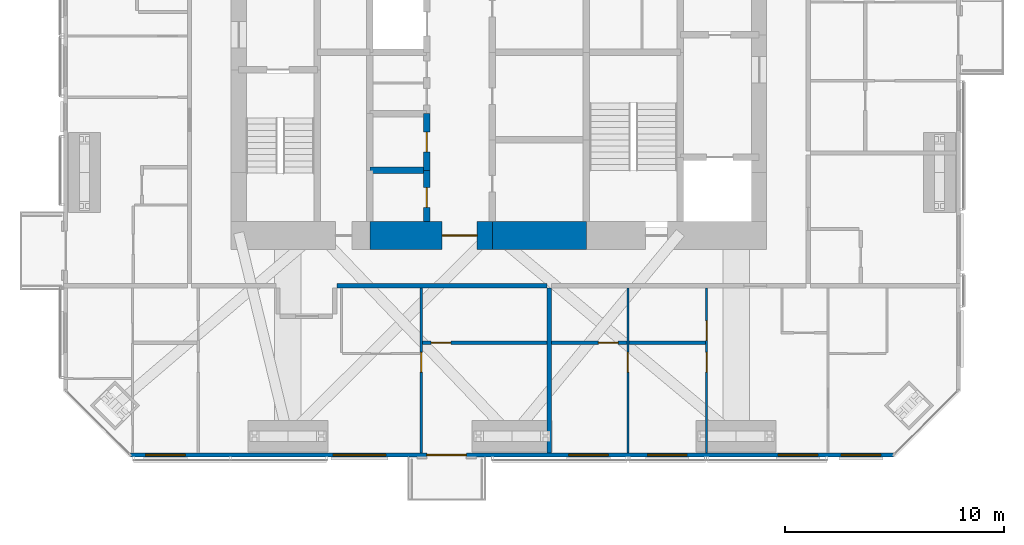
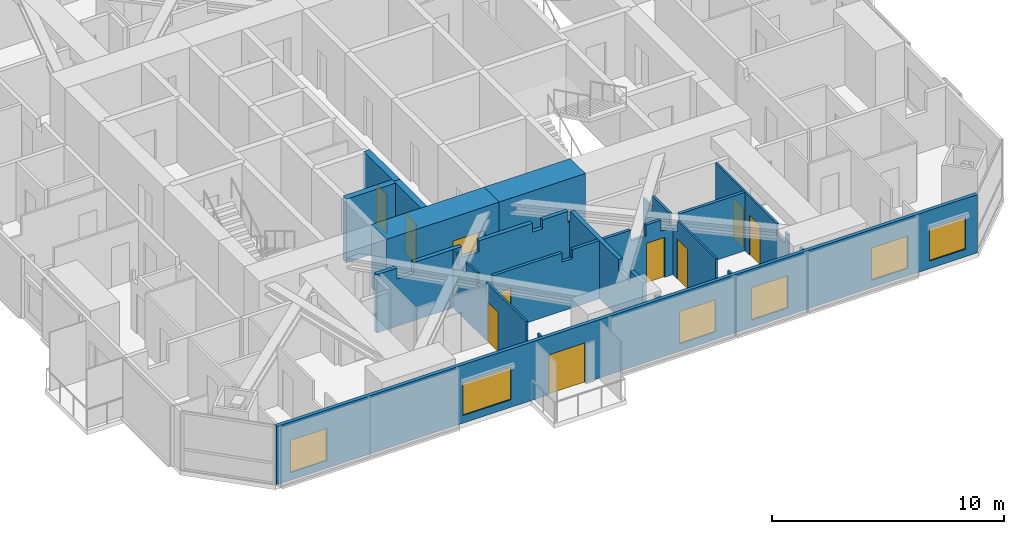
# One storey, part 16 of 22: 14 walls, 10 doors, 6 windows, 16 openings.
"""IFC4 building model written with IfcOpenShell, lengths in metres."""

from ifc_helpers import new_model, si_unit, direction, frame, frame_2d, origin, place, context, subcontext, project, spatial, polyline, rectangle, outline, extrude, material, layer, layer_set, constituent, constituent_set, type_object, element, fill, save


model = new_model("IFC4")

# Units and contexts
model_context = context("Model", 3, precision=1e-05, world=origin(), true_north=direction((0.0, 1.0)))
body_context = subcontext(model_context, "Body", "Model", "MODEL_VIEW")
ifc_project = project(units=[si_unit("LENGTHUNIT", "METRE"), si_unit("AREAUNIT", "SQUARE_METRE"), si_unit("VOLUMEUNIT", "CUBIC_METRE"), si_unit("PLANEANGLEUNIT", "RADIAN"), si_unit("MASSUNIT", "GRAM", prefix="KILO")], contexts=[model_context])

# Site, building, storey
site_placement = place(None, origin())
site = spatial("IfcSite", under=ifc_project, at=site_placement, CompositionType="ELEMENT")
building_placement = place(site_placement, origin())
building = spatial("IfcBuilding", under=site, at=building_placement, Name="Jalousie Tower", CompositionType="ELEMENT")
storey_placement = place(building_placement, frame((0.0, 0.0, 204.60009765625)))
storey = spatial("IfcBuildingStorey", under=building, at=storey_placement, Name="L56", CompositionType="ELEMENT", Elevation=204.60009765625)

# Wall, opening, door
ifc_material_1 = material(Name="Concrete block ASTM C90", Category="concrete")
ifc_constituent_1 = constituent(ifc_material_1, Name="Body")
ifc_material_2 = material(Name="Render")
ifc_constituent_2 = constituent(ifc_material_2, Name="Finish")
ifc_constituent_set_1 = constituent_set(constituents=[ifc_constituent_1, ifc_constituent_2])
wall_type_1 = type_object("IfcWallType", Name="BATHROOM WALL 150", PredefinedType="PLUMBINGWALL", material=ifc_constituent_set_1)
wall_1_placement = place(storey_placement, frame((28.39990234375, 5.22509765625, 0.0), z_axis=(0.0, 0.0, 1.0), x_axis=(1.0, 0.0, 0.0)))
wall_1 = element("IfcWall", 1, at=wall_1_placement, inside=storey, type_object=wall_type_1, Name="Bathroom Wall 150 L56", PredefinedType="PLUMBINGWALL", context=body_context, shape_type="SweptSolid", body=[
    extrude(outline(polyline([(0.0, 0.0), (5.7001953125, 0.0), (5.699951171875, 3.06982421875), (4.3564453125, 3.06982421875), (4.3564453125, 2.594970703125), (3.843505859375, 2.594970703125), (3.843505859375, 3.06982421875), (0.40771484375, 3.06982421875), (0.40771484375, 2.49072265625), (0.0, 2.49072265625), (0.0, 0.0)])), frame((0.0, 0.074951171875, 0.0), z_axis=(0.0, -1.0, 0.0), x_axis=(1.0, 0.0, 0.0)), (0.0, 0.0, 1.0), 0.14990234375),
])
opening_1_placement = place(wall_1_placement, frame((0.39990234375, 0.0, 0.0)))
opening_1 = element("IfcOpeningElement", 2, at=opening_1_placement, cuts=wall_1, Name="Opening D3", PredefinedType="OPENING", context=body_context, shape_type="SweptSolid", body=[
    extrude(rectangle(XDim=0.89990234375, YDim=2.10009765625, at=frame_2d((0.449951171875, 1.050048828125))), frame((0.0, 0.0849609375, 0.0), z_axis=(0.0, -1.0, 0.0), x_axis=(1.0, 0.0, 0.0)), (0.0, 0.0, 1.0), 0.169921875),
])
ifc_material_3 = material(Name="Timber door", Category="wood")
door_type_1 = type_object("IfcDoorType", Name="BATHROOM DOOR 900", OperationType="SINGLE_SWING_LEFT", PredefinedType="DOOR", material=ifc_material_3)
door_1_placement = place(opening_1_placement, origin())
door_1 = element("IfcDoor", 3, at=door_1_placement, inside=storey, type_object=door_type_1, Name="Apartment 5601 bedroom 3 bathroom door", OperationType="SINGLE_SWING_LEFT", OverallHeight=2.10009765625, OverallWidth=0.89990234375, PredefinedType="DOOR", context=body_context, shape_type="SweptSolid", body=[
    extrude(rectangle(XDim=0.89990234375, YDim=2.10009765625, at=frame_2d((0.449951171875, 1.050048828125))), frame((0.0, 0.02490234375, 0.0), z_axis=(0.0, -1.0, 0.0), x_axis=(1.0, 0.0, 0.0)), (0.0, 0.0, 1.0), 0.050048828125),
])
fill(opening_1, door_1)

wall_2_placement = place(storey_placement, frame((34.300048828125, 5.22509765625, 0.0), z_axis=(0.0, 0.0, 1.0), x_axis=(1.0, 0.0, 0.0)))
wall_2 = element("IfcWall", 4, at=wall_2_placement, inside=storey, type_object=wall_type_1, Name="Bathroom Wall 150 L56", PredefinedType="PLUMBINGWALL", context=body_context, shape_type="SweptSolid", body=[
    extrude(outline(polyline([(0.0, 0.0), (3.449951171875, 0.0), (3.449951171875, 2.49072265625), (2.865966796875, 2.49072265625), (2.865966796875, 3.06982421875), (2.1083984375, 3.06982421875), (2.1083984375, 2.49072265625), (1.370849609375, 2.49072265625), (1.370849609375, 3.06982421875), (0.0, 3.06982421875), (0.0, 0.0)])), frame((0.0, 0.074951171875, 0.0), z_axis=(0.0, -1.0, 0.0), x_axis=(1.0, 0.0, 0.0)), (0.0, 0.0, 1.0), 0.14990234375),
])
opening_2_placement = place(wall_2_placement, frame((2.14990234375, 0.0, 0.0)))
opening_2 = element("IfcOpeningElement", 5, at=opening_2_placement, cuts=wall_2, Name="Opening D3", PredefinedType="OPENING", context=body_context, shape_type="SweptSolid", body=[
    extrude(rectangle(XDim=0.89990234375, YDim=2.10009765625, at=frame_2d((0.449951171875, 1.050048828125))), frame((0.0, 0.0849609375, 0.0), z_axis=(0.0, -1.0, 0.0), x_axis=(1.0, 0.0, 0.0)), (0.0, 0.0, 1.0), 0.169921875),
])
door_2_placement = place(opening_2_placement, origin())
door_2 = element("IfcDoor", 6, at=door_2_placement, inside=storey, type_object=door_type_1, Name="Apartment 5602 bedroom 1 bathroom door", OperationType="SINGLE_SWING_RIGHT", OverallHeight=2.10009765625, OverallWidth=0.89990234375, PredefinedType="DOOR", context=body_context, shape_type="SweptSolid", body=[
    extrude(rectangle(XDim=0.89990234375, YDim=2.10009765625, at=frame_2d((0.449951171875, 1.050048828125))), frame((0.0, 0.02490234375, 0.0), z_axis=(0.0, -1.0, 0.0), x_axis=(1.0, 0.0, 0.0)), (0.0, 0.0, 1.0), 0.050048828125),
])
fill(opening_2, door_2)

# Wall
wall_3_placement = place(storey_placement, frame((37.85009765625, 5.22509765625, 0.0), z_axis=(0.0, 0.0, 1.0), x_axis=(1.0, 0.0, 0.0)))
element("IfcWall", 7, at=wall_3_placement, inside=storey, type_object=wall_type_1, Name="Bathroom Wall 150 L56", PredefinedType="PLUMBINGWALL", context=body_context, shape_type="SweptSolid", body=[
    extrude(outline(polyline([(0.0, 0.0), (3.5, 0.0), (3.5, 3.06982421875), (0.2333984375, 3.06982421875), (0.2333984375, 2.49072265625), (0.0, 2.49072265625), (0.0, 0.0)])), frame((0.0, 0.074951171875, 0.0), z_axis=(0.0, -1.0, 0.0), x_axis=(1.0, 0.0, 0.0)), (0.0, 0.0, 1.0), 0.14990234375),
])

# Wall, opening, door
ifc_material_4 = material(Name="Concrete f'c 120 MPa", Category="concrete")
ifc_layer_1 = layer(ifc_material_4, 1.300048828125)
ifc_layer_set_1 = layer_set([ifc_layer_1], Name="Concrete f'c 120 MPa")
wall_type_2 = type_object("IfcWallType", Name="CORE WALL 1300", PredefinedType="SHEAR", material=ifc_layer_set_1)
wall_4_placement = place(storey_placement, frame((26.0, 10.125, 0.0), z_axis=(0.0, 0.0, 1.0), x_axis=(1.0, 0.0, 0.0)))
wall_4 = element("IfcWall", 8, at=wall_4_placement, inside=storey, type_object=wall_type_2, Name="Core wall SB L56", PredefinedType="SHEAR", context=body_context, shape_type="SweptSolid", body=[
    extrude(rectangle(XDim=5.60009765625, YDim=1.300048828125, at=frame_2d((2.800048828125, 0.0))), origin(), (0.0, 0.0, 1.0), 3.349853515625),
])
opening_3_placement = place(wall_4_placement, frame((3.300048828125, 0.0, 0.0)))
opening_3 = element("IfcOpeningElement", 9, at=opening_3_placement, cuts=wall_4, Name="Opening D15", PredefinedType="OPENING", context=body_context, shape_type="SweptSolid", body=[
    extrude(rectangle(XDim=1.60009765625, YDim=2.10009765625, at=frame_2d((0.800048828125, 1.050048828125))), frame((0.0, 0.659912109375, 0.0), z_axis=(0.0, -1.0, 0.0), x_axis=(1.0, 0.0, 0.0)), (0.0, 0.0, 1.0), 1.320068359375),
])
ifc_material_5 = material(Name="Steel fire door", Category="steel")
door_type_2 = type_object("IfcDoorType", Name="LIFT LOBBY DOOR 1600", OperationType="DOUBLE_DOOR_SINGLE_SWING", PredefinedType="DOOR", material=ifc_material_5)
door_3_placement = place(opening_3_placement, origin())
door_3 = element("IfcDoor", 10, at=door_3_placement, inside=storey, type_object=door_type_2, Name="Lift lobby south door", OperationType="DOUBLE_DOOR_SINGLE_SWING", OverallHeight=2.10009765625, OverallWidth=1.60009765625, PredefinedType="DOOR", context=body_context, shape_type="SweptSolid", body=[
    extrude(rectangle(XDim=1.60009765625, YDim=2.10009765625, at=frame_2d((0.800048828125, 1.050048828125))), frame((0.0, 0.02490234375, 0.0), z_axis=(0.0, -1.0, 0.0), x_axis=(1.0, 0.0, 0.0)), (0.0, 0.0, 1.0), 0.050048828125),
])
fill(opening_3, door_3)

# Wall
wall_5_placement = place(storey_placement, frame((31.60009765625, 10.125, 0.0), z_axis=(0.0, 0.0, 1.0), x_axis=(1.0, 0.0, 0.0)))
element("IfcWall", 11, at=wall_5_placement, inside=storey, type_object=wall_type_2, Name="Core wall SC L56", PredefinedType="SHEAR", context=body_context, shape_type="SweptSolid", body=[
    extrude(rectangle(XDim=4.2998046875, YDim=1.300048828125, at=frame_2d((2.14990234375, 0.0))), origin(), (0.0, 0.0, 1.0), 3.349853515625),
])

# Wall, opening, door
ifc_material_6 = material(Name="Concrete f'c 120 MPa", Category="concrete")
ifc_layer_2 = layer(ifc_material_6, 0.300048828125)
ifc_layer_set_2 = layer_set([ifc_layer_2], Name="Concrete f'c 120 MPa")
wall_type_3 = type_object("IfcWallType", Name="CORE WALL 300", PredefinedType="SHEAR", material=ifc_layer_set_2)
wall_6_placement = place(storey_placement, frame((28.60009765625, 10.77490234375, 0.0), z_axis=(0.0, 0.0, 1.0), x_axis=(0.0, 1.0, 0.0)))
wall_6 = element("IfcWall", 12, at=wall_6_placement, inside=storey, type_object=wall_type_3, Name="Core wall X28.6A L56", PredefinedType="SHEAR", context=body_context, shape_type="SweptSolid", body=[
    extrude(rectangle(XDim=2.3251953125, YDim=0.300048828125, at=frame_2d((1.16259765625, 0.0))), origin(), (0.0, 0.0, 1.0), 3.349853515625),
])
opening_4_placement = place(wall_6_placement, frame((0.637451171875, 0.0, 0.0)))
opening_4 = element("IfcOpeningElement", 13, at=opening_4_placement, cuts=wall_6, Name="Opening D24", PredefinedType="OPENING", context=body_context, shape_type="SweptSolid", body=[
    extrude(rectangle(XDim=0.89990234375, YDim=2.10009765625, at=frame_2d((0.449951171875, 1.050048828125))), frame((0.0, 0.159912109375, 0.0), z_axis=(0.0, -1.0, 0.0), x_axis=(1.0, 0.0, 0.0)), (0.0, 0.0, 1.0), 0.320068359375),
])
ifc_material_7 = material(Name="Steel fire door", Category="steel")
door_type_3 = type_object("IfcDoorType", Name="CORE ROOM DOOR 900", OperationType="SINGLE_SWING_LEFT", PredefinedType="DOOR", material=ifc_material_7)
door_4_placement = place(opening_4_placement, origin())
door_4 = element("IfcDoor", 14, at=door_4_placement, inside=storey, type_object=door_type_3, Name="Staff WC door", OperationType="SINGLE_SWING_RIGHT", OverallHeight=2.10009765625, OverallWidth=0.89990234375, PredefinedType="DOOR", context=body_context, shape_type="SweptSolid", body=[
    extrude(rectangle(XDim=0.89990234375, YDim=2.10009765625, at=frame_2d((0.449951171875, 1.050048828125))), frame((0.0, 0.02490234375, 0.0), z_axis=(0.0, -1.0, 0.0), x_axis=(1.0, 0.0, 0.0)), (0.0, 0.0, 1.0), 0.050048828125),
])
fill(opening_4, door_4)

wall_7_placement = place(storey_placement, frame((28.60009765625, 13.10009765625, 0.0), z_axis=(0.0, 0.0, 1.0), x_axis=(0.0, 1.0, 0.0)))
wall_7 = element("IfcWall", 15, at=wall_7_placement, inside=storey, type_object=wall_type_3, Name="Core wall X28.6B L56", PredefinedType="SHEAR", context=body_context, shape_type="SweptSolid", body=[
    extrude(rectangle(XDim=2.599853515625, YDim=0.300048828125, at=frame_2d((1.2998046875, 0.0))), origin(), (0.0, 0.0, 1.0), 3.349853515625),
])
opening_5_placement = place(wall_7_placement, frame((0.85009765625, 0.0, 0.0)))
opening_5 = element("IfcOpeningElement", 16, at=opening_5_placement, cuts=wall_7, Name="Opening D24", PredefinedType="OPENING", context=body_context, shape_type="SweptSolid", body=[
    extrude(rectangle(XDim=0.89990234375, YDim=2.10009765625, at=frame_2d((0.449951171875, 1.050048828125))), frame((0.0, 0.159912109375, 0.0), z_axis=(0.0, -1.0, 0.0), x_axis=(1.0, 0.0, 0.0)), (0.0, 0.0, 1.0), 0.320068359375),
])
door_5_placement = place(opening_5_placement, origin())
door_5 = element("IfcDoor", 17, at=door_5_placement, inside=storey, type_object=door_type_3, Name="Pantry door", OperationType="SINGLE_SWING_RIGHT", OverallHeight=2.10009765625, OverallWidth=0.89990234375, PredefinedType="DOOR", context=body_context, shape_type="SweptSolid", body=[
    extrude(rectangle(XDim=0.89990234375, YDim=2.10009765625, at=frame_2d((0.449951171875, 1.050048828125))), frame((0.0, 0.02490234375, 0.0), z_axis=(0.0, -1.0, 0.0), x_axis=(1.0, 0.0, 0.0)), (0.0, 0.0, 1.0), 0.050048828125),
])
fill(opening_5, door_5)

# Walls
wall_8_placement = place(storey_placement, frame((26.0, 13.10009765625, 0.0), z_axis=(0.0, 0.0, 1.0), x_axis=(1.0, 0.0, 0.0)))
element("IfcWall", 18, at=wall_8_placement, inside=storey, type_object=wall_type_3, Name="Core wall Y26-13.1 L56", PredefinedType="SHEAR", context=body_context, shape_type="SweptSolid", body=[
    extrude(rectangle(XDim=2.60009765625, YDim=0.300048828125, at=frame_2d((1.300048828125, 0.0))), origin(), (0.0, 0.0, 1.0), 3.349853515625),
])
ifc_material_8 = material(Name="Concrete block ASTM C90", Category="concrete")
ifc_constituent_3 = constituent(ifc_material_8, Name="Body")
ifc_material_9 = material(Name="Render")
ifc_constituent_4 = constituent(ifc_material_9, Name="Finish")
ifc_constituent_set_2 = constituent_set(constituents=[ifc_constituent_3, ifc_constituent_4])
wall_type_4 = type_object("IfcWallType", Name="CORRIDOR WALL 200", PredefinedType="PARTITIONING", material=ifc_constituent_set_2)
wall_9_placement = place(storey_placement, frame((24.5, 7.824951171875, 0.0), z_axis=(0.0, 0.0, 1.0), x_axis=(1.0, 0.0, 0.0)))
element("IfcWall", 19, at=wall_9_placement, inside=storey, type_object=wall_type_4, Name="Corridor Wall 200 L56", PredefinedType="PARTITIONING", context=body_context, shape_type="SweptSolid", body=[
    extrude(outline(polyline([(0.0, 0.0), (9.60009765625, 0.0), (9.60009765625, 2.49072265625), (9.518798828125, 2.49072265625), (9.518798828125, 3.06982421875), (8.256591796875, 3.06982421875), (8.256591796875, 2.594970703125), (7.743408203125, 2.594970703125), (7.743408203125, 3.06982421875), (5.097412109375, 3.06982421875), (5.097412109375, 2.49072265625), (4.2265625, 2.49072265625), (4.2265625, 3.06982421875), (1.84326171875, 3.06982421875), (1.84326171875, 2.49072265625), (0.998046875, 2.49072265625), (0.998046875, 3.06982421875), (0.0, 3.06982421875), (0.0, 0.0)])), frame((0.0, 0.10009765625, 0.0), z_axis=(0.0, -1.0, 0.0), x_axis=(1.0, 0.0, 0.0)), (0.0, 0.0, 1.0), 0.199951171875),
])

# Wall, openings, door, windows
ifc_material_10 = material(Name="Concrete f'c 40 MPa", Category="concrete")
ifc_constituent_5 = constituent(ifc_material_10, Name="Body")
ifc_material_11 = material(Name="Render, pastel lemon")
ifc_constituent_6 = constituent(ifc_material_11, Name="Finish")
ifc_constituent_set_3 = constituent_set(constituents=[ifc_constituent_5, ifc_constituent_6])
wall_type_5 = type_object("IfcWallType", Name="EXTERNAL WALL 175 LEMON RENDER", PredefinedType="SOLIDWALL", material=ifc_constituent_set_3)
wall_10_placement = place(storey_placement, frame((15.05126953125, 0.08740234375, 0.0), z_axis=(0.0, 0.0, 1.0), x_axis=(1.0, 0.0, 0.0)))
wall_10 = element("IfcWall", 20, at=wall_10_placement, inside=storey, type_object=wall_type_5, Name="External Wall 175 Lemon Render L56", PredefinedType="SOLIDWALL", context=body_context, shape_type="SweptSolid", body=[
    extrude(rectangle(XDim=34.8974609375, YDim=0.175048828125, at=frame_2d((17.44873046875, 0.0))), origin(), (0.0, 0.0, 1.0), 3.06982421875),
])
opening_6_placement = place(wall_10_placement, frame((0.69873046875, 0.0, 0.39990234375)))
opening_6 = element("IfcOpeningElement", 21, at=opening_6_placement, cuts=wall_10, Name="Opening W-BED170", PredefinedType="OPENING", context=body_context, shape_type="SweptSolid", body=[
    extrude(rectangle(XDim=1.800048828125, YDim=1.699951171875, at=frame_2d((0.89990234375, 0.85009765625))), frame((0.0, 0.097412109375, 0.0), z_axis=(0.0, -1.0, 0.0), x_axis=(1.0, 0.0, 0.0)), (0.0, 0.0, 1.0), 0.195068359375),
])
opening_7_placement = place(wall_10_placement, frame((9.273681640625, 0.0, 0.39990234375)))
opening_7 = element("IfcOpeningElement", 22, at=opening_7_placement, cuts=wall_10, Name="Opening W-LIV170", PredefinedType="OPENING", context=body_context, shape_type="SweptSolid", body=[
    extrude(rectangle(XDim=2.39990234375, YDim=1.699951171875, at=frame_2d((1.199951171875, 0.85009765625))), frame((0.0, 0.097412109375, 0.0), z_axis=(0.0, -1.0, 0.0), x_axis=(1.0, 0.0, 0.0)), (0.0, 0.0, 1.0), 0.195068359375),
])
opening_8_placement = place(wall_10_placement, frame((13.561279296875, 0.0, 0.0)))
opening_8 = element("IfcOpeningElement", 23, at=opening_8_placement, cuts=wall_10, Name="Opening D-BAL21", PredefinedType="OPENING", context=body_context, shape_type="SweptSolid", body=[
    extrude(rectangle(XDim=1.800048828125, YDim=2.10009765625, at=frame_2d((0.89990234375, 1.050048828125))), frame((0.0, 0.097412109375, 0.0), z_axis=(0.0, -1.0, 0.0), x_axis=(1.0, 0.0, 0.0)), (0.0, 0.0, 1.0), 0.195068359375),
])
opening_9_placement = place(wall_10_placement, frame((20.048583984375, 0.0, 0.39990234375)))
opening_9 = element("IfcOpeningElement", 24, at=opening_9_placement, cuts=wall_10, Name="Opening W-BED170", PredefinedType="OPENING", context=body_context, shape_type="SweptSolid", body=[
    extrude(rectangle(XDim=1.800048828125, YDim=1.699951171875, at=frame_2d((0.89990234375, 0.85009765625))), frame((0.0, 0.097412109375, 0.0), z_axis=(0.0, -1.0, 0.0), x_axis=(1.0, 0.0, 0.0)), (0.0, 0.0, 1.0), 0.195068359375),
])
opening_10_placement = place(wall_10_placement, frame((23.648681640625, 0.0, 0.39990234375)))
opening_10 = element("IfcOpeningElement", 25, at=opening_10_placement, cuts=wall_10, Name="Opening W-BED170", PredefinedType="OPENING", context=body_context, shape_type="SweptSolid", body=[
    extrude(rectangle(XDim=1.800048828125, YDim=1.699951171875, at=frame_2d((0.89990234375, 0.85009765625))), frame((0.0, 0.097412109375, 0.0), z_axis=(0.0, -1.0, 0.0), x_axis=(1.0, 0.0, 0.0)), (0.0, 0.0, 1.0), 0.195068359375),
])
opening_11_placement = place(wall_10_placement, frame((29.625, 0.0, 0.39990234375)))
opening_11 = element("IfcOpeningElement", 26, at=opening_11_placement, cuts=wall_10, Name="Opening W-BED170", PredefinedType="OPENING", context=body_context, shape_type="SweptSolid", body=[
    extrude(rectangle(XDim=1.800048828125, YDim=1.699951171875, at=frame_2d((0.89990234375, 0.85009765625))), frame((0.0, 0.097412109375, 0.0), z_axis=(0.0, -1.0, 0.0), x_axis=(1.0, 0.0, 0.0)), (0.0, 0.0, 1.0), 0.195068359375),
])
opening_12_placement = place(wall_10_placement, frame((32.510009765625, 0.0, 0.39990234375)))
opening_12 = element("IfcOpeningElement", 27, at=opening_12_placement, cuts=wall_10, Name="Opening W-BED170", PredefinedType="OPENING", context=body_context, shape_type="SweptSolid", body=[
    extrude(rectangle(XDim=1.800048828125, YDim=1.699951171875, at=frame_2d((0.89990234375, 0.85009765625))), frame((0.0, 0.097412109375, 0.0), z_axis=(0.0, -1.0, 0.0), x_axis=(1.0, 0.0, 0.0)), (0.0, 0.0, 1.0), 0.195068359375),
])
ifc_material_12 = material(Name="Aluminium frame, impact-rated glazing", Category="aluminium")
door_type_4 = type_object("IfcDoorType", Name="BALCONY DOOR 1800x2100", OperationType="SLIDING_TO_LEFT", PredefinedType="DOOR", material=ifc_material_12)
door_6_placement = place(opening_8_placement, origin())
door_6 = element("IfcDoor", 28, at=door_6_placement, inside=storey, type_object=door_type_4, Name="Apartment 5601 bedroom 3 balcony door", OperationType="SLIDING_TO_LEFT", OverallHeight=2.10009765625, OverallWidth=1.800048828125, PredefinedType="DOOR", context=body_context, shape_type="SweptSolid", body=[
    extrude(rectangle(XDim=1.800048828125, YDim=2.10009765625, at=frame_2d((0.89990234375, 1.050048828125))), frame((0.0, 0.02490234375, 0.0), z_axis=(0.0, -1.0, 0.0), x_axis=(1.0, 0.0, 0.0)), (0.0, 0.0, 1.0), 0.050048828125),
])
fill(opening_8, door_6)
ifc_material_13 = material(Name="Aluminium frame, impact-rated glazing", Category="aluminium")
window_type_1 = type_object("IfcWindowType", Name="WINDOW BED 1800x1700", PartitioningType="SINGLE_PANEL", PredefinedType="WINDOW", material=ifc_material_13)
window_1_placement = place(opening_6_placement, origin())
window_1 = element("IfcWindow", 29, at=window_1_placement, inside=storey, type_object=window_type_1, Name="Apartment 5601 bedroom 2 window", OverallHeight=1.699951171875, OverallWidth=1.800048828125, PartitioningType="SINGLE_PANEL", PredefinedType="WINDOW", context=body_context, shape_type="SweptSolid", body=[
    extrude(rectangle(XDim=1.800048828125, YDim=1.699951171875, at=frame_2d((0.89990234375, 0.85009765625))), frame((0.0, 0.030029296875, 0.0), z_axis=(0.0, -1.0, 0.0), x_axis=(1.0, 0.0, 0.0)), (0.0, 0.0, 1.0), 0.06005859375),
])
fill(opening_6, window_1)
window_2_placement = place(opening_9_placement, origin())
window_2 = element("IfcWindow", 30, at=window_2_placement, inside=storey, type_object=window_type_1, Name="Apartment 5602 bedroom 1 window", OverallHeight=1.699951171875, OverallWidth=1.800048828125, PartitioningType="SINGLE_PANEL", PredefinedType="WINDOW", context=body_context, shape_type="SweptSolid", body=[
    extrude(rectangle(XDim=1.800048828125, YDim=1.699951171875, at=frame_2d((0.89990234375, 0.85009765625))), frame((0.0, 0.030029296875, 0.0), z_axis=(0.0, -1.0, 0.0), x_axis=(1.0, 0.0, 0.0)), (0.0, 0.0, 1.0), 0.06005859375),
])
fill(opening_9, window_2)
window_3_placement = place(opening_10_placement, origin())
window_3 = element("IfcWindow", 31, at=window_3_placement, inside=storey, type_object=window_type_1, Name="Apartment 5602 bedroom 2 window", OverallHeight=1.699951171875, OverallWidth=1.800048828125, PartitioningType="SINGLE_PANEL", PredefinedType="WINDOW", context=body_context, shape_type="SweptSolid", body=[
    extrude(rectangle(XDim=1.800048828125, YDim=1.699951171875, at=frame_2d((0.89990234375, 0.85009765625))), frame((0.0, 0.030029296875, 0.0), z_axis=(0.0, -1.0, 0.0), x_axis=(1.0, 0.0, 0.0)), (0.0, 0.0, 1.0), 0.06005859375),
])
fill(opening_10, window_3)
window_4_placement = place(opening_11_placement, origin())
window_4 = element("IfcWindow", 32, at=window_4_placement, inside=storey, type_object=window_type_1, Name="Apartment 5602 study window", OverallHeight=1.699951171875, OverallWidth=1.800048828125, PartitioningType="SINGLE_PANEL", PredefinedType="WINDOW", context=body_context, shape_type="SweptSolid", body=[
    extrude(rectangle(XDim=1.800048828125, YDim=1.699951171875, at=frame_2d((0.89990234375, 0.85009765625))), frame((0.0, 0.030029296875, 0.0), z_axis=(0.0, -1.0, 0.0), x_axis=(1.0, 0.0, 0.0)), (0.0, 0.0, 1.0), 0.06005859375),
])
fill(opening_11, window_4)
window_5_placement = place(opening_12_placement, origin())
window_5 = element("IfcWindow", 33, at=window_5_placement, inside=storey, type_object=window_type_1, Name="Apartment 5602 living and dining room window", OverallHeight=1.699951171875, OverallWidth=1.800048828125, PartitioningType="SINGLE_PANEL", PredefinedType="WINDOW", context=body_context, shape_type="SweptSolid", body=[
    extrude(rectangle(XDim=1.800048828125, YDim=1.699951171875, at=frame_2d((0.89990234375, 0.85009765625))), frame((0.0, 0.030029296875, 0.0), z_axis=(0.0, -1.0, 0.0), x_axis=(1.0, 0.0, 0.0)), (0.0, 0.0, 1.0), 0.06005859375),
])
fill(opening_12, window_5)
ifc_material_14 = material(Name="Aluminium frame, impact-rated glazing", Category="aluminium")
window_type_2 = type_object("IfcWindowType", Name="WINDOW LIV 2400x1700", PartitioningType="DOUBLE_PANEL_VERTICAL", PredefinedType="WINDOW", material=ifc_material_14)
window_6_placement = place(opening_7_placement, origin())
window_6 = element("IfcWindow", 34, at=window_6_placement, inside=storey, type_object=window_type_2, Name="Apartment 5601 living and dining room window", OverallHeight=1.699951171875, OverallWidth=2.39990234375, PartitioningType="SINGLE_PANEL", PredefinedType="WINDOW", context=body_context, shape_type="SweptSolid", body=[
    extrude(rectangle(XDim=2.39990234375, YDim=1.699951171875, at=frame_2d((1.199951171875, 0.85009765625))), frame((0.0, 0.030029296875, 0.0), z_axis=(0.0, -1.0, 0.0), x_axis=(1.0, 0.0, 0.0)), (0.0, 0.0, 1.0), 0.06005859375),
])
fill(opening_7, window_6)

# Wall, opening, door
ifc_material_15 = material(Name="Gypsum board", Category="gypsum")
ifc_constituent_7 = constituent(ifc_material_15, Name="Body")
ifc_material_16 = material(Name="Light-gauge steel studs ASTM A653 SS Grade 33", Category="steel")
ifc_constituent_8 = constituent(ifc_material_16, Name="Framing")
ifc_constituent_set_4 = constituent_set(constituents=[ifc_constituent_7, ifc_constituent_8])
wall_type_6 = type_object("IfcWallType", Name="PARTITION 100", PredefinedType="PARTITIONING", material=ifc_constituent_set_4)
wall_11_placement = place(storey_placement, frame((28.35009765625, 0.175048828125, 0.0), z_axis=(0.0, 0.0, 1.0), x_axis=(0.0, 1.0, 0.0)))
wall_11 = element("IfcWall", 35, at=wall_11_placement, inside=storey, type_object=wall_type_6, Name="Partition 100 L56", PredefinedType="PARTITIONING", context=body_context, shape_type="SweptSolid", body=[
    extrude(outline(polyline([(0.0, 0.0), (7.550048828125, 0.0), (7.550048828125, 3.06982421875), (7.225341796875, 3.06982421875), (7.225341796875, 2.49072265625), (6.45947265625, 2.49072265625), (6.45947265625, 3.06982421875), (5.50537109375, 3.06982421875), (5.50537109375, 2.49072265625), (4.717529296875, 2.49072265625), (4.717529296875, 3.06982421875), (1.27490234375, 3.06982421875), (1.27490234375, 2.06982421875), (0.27490234375, 2.06982421875), (0.27490234375, 3.06982421875), (0.0, 3.06982421875), (0.0, 0.0)])), frame((0.0, 0.050048828125, 0.0), z_axis=(0.0, -1.0, 0.0), x_axis=(1.0, 0.0, 0.0)), (0.0, 0.0, 1.0), 0.10009765625),
])
opening_13_placement = place(wall_11_placement, frame((3.699951171875, 0.0, 0.0)))
opening_13 = element("IfcOpeningElement", 36, at=opening_13_placement, cuts=wall_11, Name="Opening D2", PredefinedType="OPENING", context=body_context, shape_type="SweptSolid", body=[
    extrude(rectangle(XDim=0.89990234375, YDim=2.10009765625, at=frame_2d((0.449951171875, 1.050048828125))), frame((0.0, 0.06005859375, 0.0), z_axis=(0.0, -1.0, 0.0), x_axis=(1.0, 0.0, 0.0)), (0.0, 0.0, 1.0), 0.1201171875),
])
ifc_material_17 = material(Name="Timber door", Category="wood")
door_type_5 = type_object("IfcDoorType", Name="BEDROOM DOOR 900", OperationType="SINGLE_SWING_LEFT", PredefinedType="DOOR", material=ifc_material_17)
door_7_placement = place(opening_13_placement, frame((0.89990234375, 0.0, 0.0), z_axis=(0.0, 0.0, 1.0), x_axis=(-1.0, 0.0, 0.0)))
door_7 = element("IfcDoor", 37, at=door_7_placement, inside=storey, type_object=door_type_5, Name="Apartment 5601 bedroom 3 door", OperationType="SINGLE_SWING_LEFT", OverallHeight=2.10009765625, OverallWidth=0.89990234375, PredefinedType="DOOR", context=body_context, shape_type="SweptSolid", body=[
    extrude(rectangle(XDim=0.89990234375, YDim=2.10009765625, at=frame_2d((0.449951171875, 1.050048828125))), frame((0.0, 0.02490234375, 0.0), z_axis=(0.0, -1.0, 0.0), x_axis=(1.0, 0.0, 0.0)), (0.0, 0.0, 1.0), 0.050048828125),
])
fill(opening_13, door_7)

wall_12_placement = place(storey_placement, frame((37.800048828125, 0.175048828125, 0.0), z_axis=(0.0, 0.0, 1.0), x_axis=(0.0, 1.0, 0.0)))
wall_12 = element("IfcWall", 38, at=wall_12_placement, inside=storey, type_object=wall_type_6, Name="Partition 100 L56", PredefinedType="PARTITIONING", context=body_context, shape_type="SweptSolid", body=[
    extrude(outline(polyline([(0.0, 0.0), (7.550048828125, 0.0), (7.550048828125, 2.49072265625), (6.74560546875, 2.49072265625), (6.74560546875, 3.06982421875), (5.2529296875, 3.06982421875), (5.2529296875, 2.49072265625), (4.554443359375, 2.49072265625), (4.554443359375, 3.06982421875), (1.27490234375, 3.06982421875), (1.27490234375, 2.06982421875), (0.27490234375, 2.06982421875), (0.27490234375, 3.06982421875), (0.0, 3.06982421875), (0.0, 0.0)])), frame((0.0, 0.050048828125, 0.0), z_axis=(0.0, -1.0, 0.0), x_axis=(1.0, 0.0, 0.0)), (0.0, 0.0, 1.0), 0.10009765625),
])
opening_14_placement = place(wall_12_placement, frame((3.699951171875, 0.0, 0.0)))
opening_14 = element("IfcOpeningElement", 39, at=opening_14_placement, cuts=wall_12, Name="Opening D2", PredefinedType="OPENING", context=body_context, shape_type="SweptSolid", body=[
    extrude(rectangle(XDim=0.89990234375, YDim=2.10009765625, at=frame_2d((0.449951171875, 1.050048828125))), frame((0.0, 0.06005859375, 0.0), z_axis=(0.0, -1.0, 0.0), x_axis=(1.0, 0.0, 0.0)), (0.0, 0.0, 1.0), 0.1201171875),
])
door_8_placement = place(opening_14_placement, frame((0.89990234375, 0.0, 0.0), z_axis=(0.0, 0.0, 1.0), x_axis=(-1.0, 0.0, 0.0)))
door_8 = element("IfcDoor", 40, at=door_8_placement, inside=storey, type_object=door_type_5, Name="Apartment 5602 bedroom 1 door", OperationType="SINGLE_SWING_LEFT", OverallHeight=2.10009765625, OverallWidth=0.89990234375, PredefinedType="DOOR", context=body_context, shape_type="SweptSolid", body=[
    extrude(rectangle(XDim=0.89990234375, YDim=2.10009765625, at=frame_2d((0.449951171875, 1.050048828125))), frame((0.0, 0.02490234375, 0.0), z_axis=(0.0, -1.0, 0.0), x_axis=(1.0, 0.0, 0.0)), (0.0, 0.0, 1.0), 0.050048828125),
])
fill(opening_14, door_8)

# Wall, openings, doors
wall_13_placement = place(storey_placement, frame((41.39990234375, 0.175048828125, 0.0), z_axis=(0.0, 0.0, 1.0), x_axis=(0.0, 1.0, 0.0)))
wall_13 = element("IfcWall", 41, at=wall_13_placement, inside=storey, type_object=wall_type_6, Name="Partition 100 L56", PredefinedType="PARTITIONING", context=body_context, shape_type="SweptSolid", body=[
    extrude(outline(polyline([(7.550048828125, 0.0), (7.550048828125, 3.06982421875), (2.250244140625, 3.06982421875), (2.250244140625, 2.49072265625), (1.5517578125, 2.49072265625), (1.5517578125, 3.06982421875), (1.27490234375, 3.06982421875), (1.27490234375, 2.06982421875), (1.021240234375, 2.06982421875), (1.021240234375, 2.062744140625), (0.52880859375, 2.062744140625), (0.52880859375, 2.06982421875), (0.27490234375, 2.06982421875), (0.27490234375, 3.06982421875), (0.0, 3.06982421875), (0.0, 0.0), (0.52880859375, 0.0), (0.52880859375, 0.087158203125), (1.021240234375, 0.087158203125), (1.021240234375, 0.0), (7.550048828125, 0.0)])), frame((0.0, 0.050048828125, 0.0), z_axis=(0.0, -1.0, 0.0), x_axis=(1.0, 0.0, 0.0)), (0.0, 0.0, 1.0), 0.10009765625),
])
opening_15_placement = place(wall_13_placement, frame((3.699951171875, 0.0, 0.0)))
opening_15 = element("IfcOpeningElement", 42, at=opening_15_placement, cuts=wall_13, Name="Opening D2", PredefinedType="OPENING", context=body_context, shape_type="SweptSolid", body=[
    extrude(rectangle(XDim=0.89990234375, YDim=2.10009765625, at=frame_2d((0.449951171875, 1.050048828125))), frame((0.0, 0.06005859375, 0.0), z_axis=(0.0, -1.0, 0.0), x_axis=(1.0, 0.0, 0.0)), (0.0, 0.0, 1.0), 0.1201171875),
])
opening_16_placement = place(wall_13_placement, frame((5.14990234375, 0.0, 0.0)))
opening_16 = element("IfcOpeningElement", 43, at=opening_16_placement, cuts=wall_13, Name="Opening D7", PredefinedType="OPENING", context=body_context, shape_type="SweptSolid", body=[
    extrude(rectangle(XDim=0.89990234375, YDim=2.10009765625, at=frame_2d((0.449951171875, 1.050048828125))), frame((0.0, 0.06005859375, 0.0), z_axis=(0.0, -1.0, 0.0), x_axis=(1.0, 0.0, 0.0)), (0.0, 0.0, 1.0), 0.1201171875),
])
door_9_placement = place(opening_15_placement, frame((0.89990234375, 0.0, 0.0), z_axis=(0.0, 0.0, 1.0), x_axis=(-1.0, 0.0, 0.0)))
door_9 = element("IfcDoor", 44, at=door_9_placement, inside=storey, type_object=door_type_5, Name="Apartment 5602 bedroom 2 door", OperationType="SINGLE_SWING_LEFT", OverallHeight=2.10009765625, OverallWidth=0.89990234375, PredefinedType="DOOR", context=body_context, shape_type="SweptSolid", body=[
    extrude(rectangle(XDim=0.89990234375, YDim=2.10009765625, at=frame_2d((0.449951171875, 1.050048828125))), frame((0.0, 0.02490234375, 0.0), z_axis=(0.0, -1.0, 0.0), x_axis=(1.0, 0.0, 0.0)), (0.0, 0.0, 1.0), 0.050048828125),
])
fill(opening_15, door_9)
ifc_material_18 = material(Name="Timber door", Category="wood")
door_type_6 = type_object("IfcDoorType", Name="INTERNAL DOOR 900", OperationType="SINGLE_SWING_LEFT", PredefinedType="DOOR", material=ifc_material_18)
door_10_placement = place(opening_16_placement, origin())
door_10 = element("IfcDoor", 45, at=door_10_placement, inside=storey, type_object=door_type_6, Name="Apartment 5602 bathroom door", OperationType="SINGLE_SWING_LEFT", OverallHeight=2.10009765625, OverallWidth=0.89990234375, PredefinedType="DOOR", context=body_context, shape_type="SweptSolid", body=[
    extrude(rectangle(XDim=0.89990234375, YDim=2.10009765625, at=frame_2d((0.449951171875, 1.050048828125))), frame((0.0, 0.02490234375, 0.0), z_axis=(0.0, -1.0, 0.0), x_axis=(1.0, 0.0, 0.0)), (0.0, 0.0, 1.0), 0.050048828125),
])
fill(opening_16, door_10)

# Wall
ifc_material_19 = material(Name="Concrete block ASTM C90", Category="concrete")
ifc_constituent_9 = constituent(ifc_material_19, Name="Body")
ifc_material_20 = material(Name="Render")
ifc_constituent_10 = constituent(ifc_material_20, Name="Finish")
ifc_constituent_set_5 = constituent_set(constituents=[ifc_constituent_9, ifc_constituent_10])
wall_type_7 = type_object("IfcWallType", Name="PARTY WALL 200", PredefinedType="PARTITIONING", material=ifc_constituent_set_5)
wall_14_placement = place(storey_placement, frame((34.199951171875, 0.175048828125, 0.0), z_axis=(0.0, 0.0, 1.0), x_axis=(0.0, 1.0, 0.0)))
element("IfcWall", 46, at=wall_14_placement, inside=storey, type_object=wall_type_7, Name="Party Wall 200 L56", PredefinedType="PARTITIONING", context=body_context, shape_type="SweptSolid", body=[
    extrude(outline(polyline([(0.0, 0.0), (7.550048828125, 0.0), (7.550048828125, 2.49072265625), (7.515380859375, 2.49072265625), (7.515380859375, 3.06982421875), (3.3193359375, 3.06982421875), (3.3193359375, 2.49072265625), (2.337158203125, 2.49072265625), (2.337158203125, 3.06982421875), (1.27490234375, 3.06982421875), (1.27490234375, 2.06982421875), (0.27490234375, 2.06982421875), (0.27490234375, 3.06982421875), (0.0, 3.06982421875), (0.0, 0.0)])), frame((0.0, 0.10009765625, 0.0), z_axis=(0.0, -1.0, 0.0), x_axis=(1.0, 0.0, 0.0)), (0.0, 0.0, 1.0), 0.199951171875),
])

save(model, "model.ifc")
